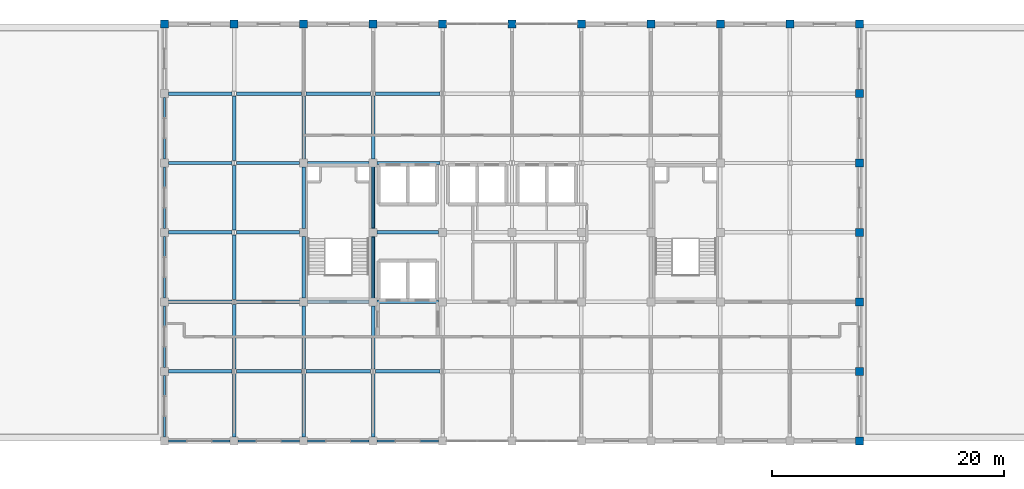
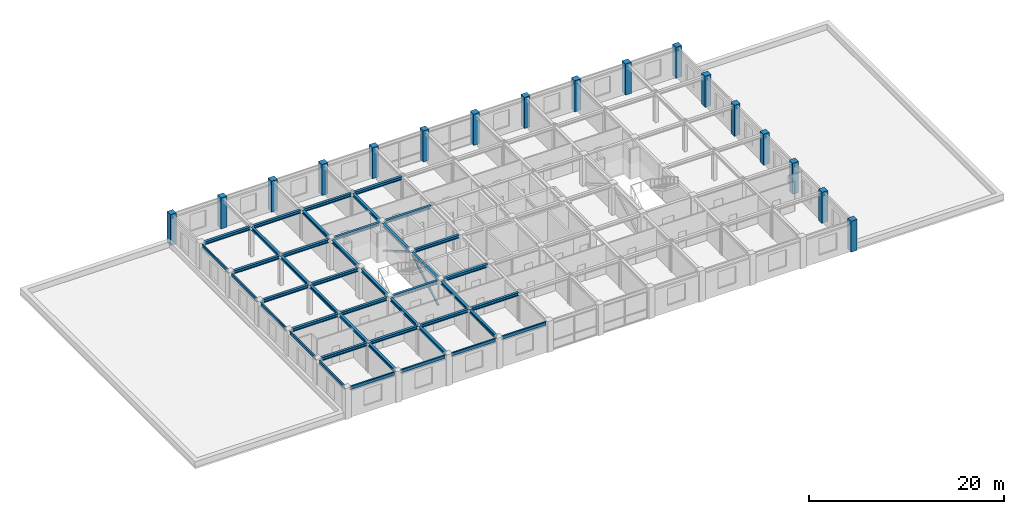
# One storey, part 3 of 13: 43 beams, 17 columns, 2 members.
"""IFC4 building model written with IfcOpenShell, lengths in metres."""

from ifc_helpers import new_model, si_unit, direction, frame, origin, origin_2d, place, context, subcontext, project, spatial, rectangle, hollow_rectangle, i_section, extrude, material, material_profile, profile_set, type_object, element, save


model = new_model("IFC4")

# Units and contexts
model_context = context("Model", 3, precision=1e-05, world=origin(), true_north=direction((0.0, 1.0)))
body_context = subcontext(model_context, "Body", "Model", "MODEL_VIEW")
ifc_project = project(units=[si_unit("LENGTHUNIT", "METRE"), si_unit("AREAUNIT", "SQUARE_METRE"), si_unit("VOLUMEUNIT", "CUBIC_METRE"), si_unit("PLANEANGLEUNIT", "RADIAN"), si_unit("MASSUNIT", "GRAM", prefix="KILO")], contexts=[model_context])

# Site, building, storey
site_placement = place(None, origin())
site = spatial("IfcSite", under=ifc_project, at=site_placement, CompositionType="ELEMENT")
building_placement = place(site_placement, origin())
building = spatial("IfcBuilding", under=site, at=building_placement, Name="Zlatovratsky Civic Hall", CompositionType="ELEMENT")
storey_placement = place(building_placement, frame((0.0, 0.0, 24.89990234375)))
storey = spatial("IfcBuildingStorey", under=building, at=storey_placement, Name="L06", CompositionType="ELEMENT", Elevation=24.89990234375)

# Columns
ifc_material_1 = material(Name="Concrete C35/45 (B40)", Category="concrete")
ifc_material_profile_1 = material_profile(ifc_material_1, rectangle(XDim=0.699951171875, YDim=0.699951171875, at=origin_2d()), Name="RC 700x700")
ifc_profile_set_1 = profile_set([ifc_material_profile_1], Name="Concrete C35/45 (B40)")
column_type = type_object("IfcColumnType", Name="Col_CorePier_RC700", PredefinedType="COLUMN", material=ifc_profile_set_1)
for number, where, z_axis, x_axis, name in (
    (1, (114.0, 72.0, 0.0), (0.0, 0.0, 1.0), (1.0, 0.0, 0.0), "CL-2028"),
    (2, (114.0, 78.0, 0.0), (0.0, 0.0, 1.0), (1.0, 0.0, 0.0), "CL-2039"),
    (3, (114.0, 84.0, 0.0), (0.0, 0.0, 1.0), (1.0, 0.0, 0.0), "CL-2050"),
    (4, (114.0, 90.0, 0.0), (0.0, 0.0, 1.0), (1.0, 0.0, 0.0), "CL-2061"),
    (5, (114.0, 96.0, 0.0), (0.0, 0.0, 1.0), (1.0, 0.0, 0.0), "CL-2072"),
    (6, (114.0, 102.0, 0.0), (0.0, 0.0, 1.0), (1.0, 0.0, 0.0), "CL-2083"),
    (7, (54.0, 108.0, 0.0), (0.0, 0.0, 1.0), (1.0, 0.0, 0.0), "CL-2084"),
    (8, (60.0, 108.0, 0.0), (0.0, 0.0, 1.0), (1.0, 0.0, 0.0), "CL-2085"),
    (9, (66.0, 108.0, 0.0), (0.0, 0.0, 1.0), (1.0, 0.0, 0.0), "CL-2086"),
    (10, (72.0, 108.0, 0.0), (0.0, 0.0, 1.0), (1.0, 0.0, 0.0), "CL-2087"),
    (11, (78.0, 108.0, 0.0), (0.0, 0.0, 1.0), (1.0, 0.0, 0.0), "CL-2088"),
    (12, (84.0, 108.0, 0.0), (0.0, 0.0, 1.0), (1.0, 0.0, 0.0), "CL-2089"),
    (13, (90.0, 108.0, 0.0), (0.0, 0.0, 1.0), (1.0, 0.0, 0.0), "CL-2090"),
    (14, (96.0, 108.0, 0.0), (0.0, 0.0, 1.0), (1.0, 0.0, 0.0), "CL-2091"),
    (15, (102.0, 108.0, 0.0), (0.0, 0.0, 1.0), (1.0, 0.0, 0.0), "CL-2092"),
    (16, (108.0, 108.0, 0.0), (0.0, 0.0, 1.0), (1.0, 0.0, 0.0), "CL-2093"),
    (17, (114.0, 108.0, 0.0), (0.0, 0.0, 1.0), (1.0, 0.0, 0.0), "CL-2094"),
):
    element("IfcColumn", number, at=place(storey_placement, frame(where, z_axis=z_axis, x_axis=x_axis)), inside=storey, type_object=column_type, Name=name, PredefinedType="COLUMN", context=body_context, shape_type="SweptSolid", body=[
        extrude(rectangle(XDim=0.699951171875, YDim=0.699951171875, at=origin_2d()), origin(), (0.0, 0.0, 1.0), 3.900146484375),
    ])

# Beams
ifc_material_2 = material(Name="Steel S355", Category="steel")
ifc_material_profile_2 = material_profile(ifc_material_2, i_section(OverallWidth=0.169921875, OverallDepth=0.446044921875, WebThickness=0.007568359375, FlangeThickness=0.010986328125, FilletRadius=0.01611328125, at=origin_2d()), Name="45B1")
ifc_profile_set_2 = profile_set([ifc_material_profile_2], Name="Steel S355")
beam_type_1 = type_object("IfcBeamType", Name="Beam_Spandrel_45B1", PredefinedType="SPANDREL", material=ifc_profile_set_2)
for number, where, z_axis, x_axis, name in (
    (18, (54.35009765625, 72.0, 3.51708984375), (1.0, 0.0, 0.0), (0.0, 1.0, 0.0), "BM-4109"),
    (19, (60.35009765625, 72.0, 3.51708984375), (1.0, 0.0, 0.0), (0.0, 1.0, 0.0), "BM-4110"),
    (20, (66.35009765625, 72.0, 3.51708984375), (1.0, 0.0, 0.0), (0.0, 1.0, 0.0), "BM-4111"),
    (21, (72.35009765625, 72.0, 3.51708984375), (1.0, 0.0, 0.0), (0.0, 1.0, 0.0), "BM-4112"),
    (22, (54.0, 72.35009765625, 3.51708984375), (0.0, 1.0, 0.0), (-1.0, 0.0, 0.0), "BM-4177"),
    (23, (54.0, 78.35009765625, 3.51708984375), (0.0, 1.0, 0.0), (-1.0, 0.0, 0.0), "BM-4178"),
    (24, (54.0, 84.35009765625, 3.51708984375), (0.0, 1.0, 0.0), (-1.0, 0.0, 0.0), "BM-4179"),
    (25, (54.0, 90.35009765625, 3.51708984375), (0.0, 1.0, 0.0), (-1.0, 0.0, 0.0), "BM-4180"),
    (26, (54.0, 96.35009765625, 3.51708984375), (0.0, 1.0, 0.0), (-1.0, 0.0, 0.0), "BM-4181"),
):
    element("IfcBeam", number, at=place(storey_placement, frame(where, z_axis=z_axis, x_axis=x_axis)), inside=storey, type_object=beam_type_1, Name=name, PredefinedType="SPANDREL", context=body_context, shape_type="SweptSolid", body=[
        extrude(i_section(OverallWidth=0.169921875, OverallDepth=0.446044921875, WebThickness=0.007568359375, FlangeThickness=0.010986328125, FilletRadius=0.01611328125, at=origin_2d()), origin(), (0.0, 0.0, 1.0), 5.2998046875),
    ])
ifc_material_profile_3 = material_profile(ifc_material_2, i_section(OverallWidth=0.300048828125, OverallDepth=0.387939453125, WebThickness=0.009521484375, FlangeThickness=0.013916015625, FilletRadius=0.02197265625, at=origin_2d()), Name="40Sh1")
ifc_profile_set_3 = profile_set([ifc_material_profile_3], Name="Steel S355")
beam_type_2 = type_object("IfcBeamType", Name="Beam_TowerMid_40Sh1", PredefinedType="BEAM", material=ifc_profile_set_3)
beam_1_placement = place(storey_placement, frame((54.35009765625, 78.0, 3.546142578125), z_axis=(1.0, 0.0, 0.0), x_axis=(0.0, 1.0, 0.0)))
element("IfcBeam", 27, at=beam_1_placement, inside=storey, type_object=beam_type_2, Name="BM-4119", PredefinedType="BEAM", context=body_context, shape_type="SweptSolid", body=[
    extrude(i_section(OverallWidth=0.300048828125, OverallDepth=0.387939453125, WebThickness=0.009521484375, FlangeThickness=0.013916015625, FilletRadius=0.02197265625, at=origin_2d()), origin(), (0.0, 0.0, 1.0), 5.449951171875),
])
for number, where, z_axis, x_axis, name in (
    (28, (60.199951171875, 78.0, 3.546142578125), (1.0, 0.0, 0.0), (0.0, 1.0, 0.0), "BM-4120"),
    (29, (66.199951171875, 78.0, 3.546142578125), (1.0, 0.0, 0.0), (0.0, 1.0, 0.0), "BM-4121"),
    (30, (72.199951171875, 78.0, 3.546142578125), (1.0, 0.0, 0.0), (0.0, 1.0, 0.0), "BM-4122"),
):
    element("IfcBeam", number, at=place(storey_placement, frame(where, z_axis=z_axis, x_axis=x_axis)), inside=storey, type_object=beam_type_2, Name=name, PredefinedType="BEAM", context=body_context, shape_type="SweptSolid", body=[
        extrude(i_section(OverallWidth=0.300048828125, OverallDepth=0.387939453125, WebThickness=0.009521484375, FlangeThickness=0.013916015625, FilletRadius=0.02197265625, at=origin_2d()), origin(), (0.0, 0.0, 1.0), 5.60009765625),
    ])
for number, where, z_axis, x_axis, name in (
    (31, (54.35009765625, 84.0, 3.546142578125), (1.0, 0.0, 0.0), (0.0, 1.0, 0.0), "BM-4129"),
    (32, (60.199951171875, 84.0, 3.546142578125), (1.0, 0.0, 0.0), (0.0, 1.0, 0.0), "BM-4130"),
):
    element("IfcBeam", number, at=place(storey_placement, frame(where, z_axis=z_axis, x_axis=x_axis)), inside=storey, type_object=beam_type_2, Name=name, PredefinedType="BEAM", context=body_context, shape_type="SweptSolid", body=[
        extrude(i_section(OverallWidth=0.300048828125, OverallDepth=0.387939453125, WebThickness=0.009521484375, FlangeThickness=0.013916015625, FilletRadius=0.02197265625, at=origin_2d()), origin(), (0.0, 0.0, 1.0), 5.449951171875),
    ])
for number, where, z_axis, x_axis, name in (
    (33, (66.35009765625, 84.0, 3.546142578125), (1.0, 0.0, 0.0), (0.0, 1.0, 0.0), "BM-4131"),
    (34, (72.35009765625, 84.0, 3.546142578125), (1.0, 0.0, 0.0), (0.0, 1.0, 0.0), "BM-4132"),
):
    element("IfcBeam", number, at=place(storey_placement, frame(where, z_axis=z_axis, x_axis=x_axis)), inside=storey, type_object=beam_type_2, Name=name, PredefinedType="BEAM", context=body_context, shape_type="SweptSolid", body=[
        extrude(i_section(OverallWidth=0.300048828125, OverallDepth=0.387939453125, WebThickness=0.009521484375, FlangeThickness=0.013916015625, FilletRadius=0.02197265625, at=origin_2d()), origin(), (0.0, 0.0, 1.0), 5.2998046875),
    ])
for number, where, z_axis, x_axis, name in (
    (35, (54.35009765625, 90.0, 3.546142578125), (1.0, 0.0, 0.0), (0.0, 1.0, 0.0), "BM-4139"),
    (36, (60.199951171875, 90.0, 3.546142578125), (1.0, 0.0, 0.0), (0.0, 1.0, 0.0), "BM-4140"),
):
    element("IfcBeam", number, at=place(storey_placement, frame(where, z_axis=z_axis, x_axis=x_axis)), inside=storey, type_object=beam_type_2, Name=name, PredefinedType="BEAM", context=body_context, shape_type="SweptSolid", body=[
        extrude(i_section(OverallWidth=0.300048828125, OverallDepth=0.387939453125, WebThickness=0.009521484375, FlangeThickness=0.013916015625, FilletRadius=0.02197265625, at=origin_2d()), origin(), (0.0, 0.0, 1.0), 5.449951171875),
    ])
beam_2_placement = place(storey_placement, frame((72.35009765625, 90.0, 3.546142578125), z_axis=(1.0, 0.0, 0.0), x_axis=(0.0, 1.0, 0.0)))
element("IfcBeam", 37, at=beam_2_placement, inside=storey, type_object=beam_type_2, Name="BM-4141", PredefinedType="BEAM", context=body_context, shape_type="SweptSolid", body=[
    extrude(i_section(OverallWidth=0.300048828125, OverallDepth=0.387939453125, WebThickness=0.009521484375, FlangeThickness=0.013916015625, FilletRadius=0.02197265625, at=origin_2d()), origin(), (0.0, 0.0, 1.0), 5.2998046875),
])
for number, where, z_axis, x_axis, name in (
    (38, (54.35009765625, 96.0, 3.546142578125), (1.0, 0.0, 0.0), (0.0, 1.0, 0.0), "BM-4147"),
    (39, (60.199951171875, 96.0, 3.546142578125), (1.0, 0.0, 0.0), (0.0, 1.0, 0.0), "BM-4148"),
):
    element("IfcBeam", number, at=place(storey_placement, frame(where, z_axis=z_axis, x_axis=x_axis)), inside=storey, type_object=beam_type_2, Name=name, PredefinedType="BEAM", context=body_context, shape_type="SweptSolid", body=[
        extrude(i_section(OverallWidth=0.300048828125, OverallDepth=0.387939453125, WebThickness=0.009521484375, FlangeThickness=0.013916015625, FilletRadius=0.02197265625, at=origin_2d()), origin(), (0.0, 0.0, 1.0), 5.449951171875),
    ])
beam_3_placement = place(storey_placement, frame((66.35009765625, 96.0, 3.546142578125), z_axis=(1.0, 0.0, 0.0), x_axis=(0.0, 1.0, 0.0)))
element("IfcBeam", 40, at=beam_3_placement, inside=storey, type_object=beam_type_2, Name="BM-4149", PredefinedType="BEAM", context=body_context, shape_type="SweptSolid", body=[
    extrude(i_section(OverallWidth=0.300048828125, OverallDepth=0.387939453125, WebThickness=0.009521484375, FlangeThickness=0.013916015625, FilletRadius=0.02197265625, at=origin_2d()), origin(), (0.0, 0.0, 1.0), 5.2998046875),
])
for number, where, z_axis, x_axis, name in (
    (41, (72.35009765625, 96.0, 3.546142578125), (1.0, 0.0, 0.0), (0.0, 1.0, 0.0), "BM-4150"),
    (42, (54.35009765625, 102.0, 3.546142578125), (1.0, 0.0, 0.0), (0.0, 1.0, 0.0), "BM-4157"),
):
    element("IfcBeam", number, at=place(storey_placement, frame(where, z_axis=z_axis, x_axis=x_axis)), inside=storey, type_object=beam_type_2, Name=name, PredefinedType="BEAM", context=body_context, shape_type="SweptSolid", body=[
        extrude(i_section(OverallWidth=0.300048828125, OverallDepth=0.387939453125, WebThickness=0.009521484375, FlangeThickness=0.013916015625, FilletRadius=0.02197265625, at=origin_2d()), origin(), (0.0, 0.0, 1.0), 5.449951171875),
    ])
for number, where, z_axis, x_axis, name in (
    (43, (60.199951171875, 102.0, 3.546142578125), (1.0, 0.0, 0.0), (0.0, 1.0, 0.0), "BM-4158"),
    (44, (66.199951171875, 102.0, 3.546142578125), (1.0, 0.0, 0.0), (0.0, 1.0, 0.0), "BM-4159"),
    (45, (72.199951171875, 102.0, 3.546142578125), (1.0, 0.0, 0.0), (0.0, 1.0, 0.0), "BM-4160"),
):
    element("IfcBeam", number, at=place(storey_placement, frame(where, z_axis=z_axis, x_axis=x_axis)), inside=storey, type_object=beam_type_2, Name=name, PredefinedType="BEAM", context=body_context, shape_type="SweptSolid", body=[
        extrude(i_section(OverallWidth=0.300048828125, OverallDepth=0.387939453125, WebThickness=0.009521484375, FlangeThickness=0.013916015625, FilletRadius=0.02197265625, at=origin_2d()), origin(), (0.0, 0.0, 1.0), 5.60009765625),
    ])
beam_4_placement = place(storey_placement, frame((60.0, 72.35009765625, 3.546142578125), z_axis=(0.0, 1.0, 0.0), x_axis=(-1.0, 0.0, 0.0)))
element("IfcBeam", 46, at=beam_4_placement, inside=storey, type_object=beam_type_2, Name="BM-4183", PredefinedType="BEAM", context=body_context, shape_type="SweptSolid", body=[
    extrude(i_section(OverallWidth=0.300048828125, OverallDepth=0.387939453125, WebThickness=0.009521484375, FlangeThickness=0.013916015625, FilletRadius=0.02197265625, at=origin_2d()), origin(), (0.0, 0.0, 1.0), 5.449951171875),
])
for number, where, z_axis, x_axis, name in (
    (47, (60.0, 78.199951171875, 3.546142578125), (0.0, 1.0, 0.0), (-1.0, 0.0, 0.0), "BM-4184"),
    (48, (60.0, 84.199951171875, 3.546142578125), (0.0, 1.0, 0.0), (-1.0, 0.0, 0.0), "BM-4185"),
    (49, (60.0, 90.199951171875, 3.546142578125), (0.0, 1.0, 0.0), (-1.0, 0.0, 0.0), "BM-4186"),
    (50, (60.0, 96.199951171875, 3.546142578125), (0.0, 1.0, 0.0), (-1.0, 0.0, 0.0), "BM-4187"),
):
    element("IfcBeam", number, at=place(storey_placement, frame(where, z_axis=z_axis, x_axis=x_axis)), inside=storey, type_object=beam_type_2, Name=name, PredefinedType="BEAM", context=body_context, shape_type="SweptSolid", body=[
        extrude(i_section(OverallWidth=0.300048828125, OverallDepth=0.387939453125, WebThickness=0.009521484375, FlangeThickness=0.013916015625, FilletRadius=0.02197265625, at=origin_2d()), origin(), (0.0, 0.0, 1.0), 5.60009765625),
    ])
for number, where, z_axis, x_axis, name in (
    (51, (66.0, 72.35009765625, 3.546142578125), (0.0, 1.0, 0.0), (-1.0, 0.0, 0.0), "BM-4189"),
    (52, (66.0, 78.199951171875, 3.546142578125), (0.0, 1.0, 0.0), (-1.0, 0.0, 0.0), "BM-4190"),
):
    element("IfcBeam", number, at=place(storey_placement, frame(where, z_axis=z_axis, x_axis=x_axis)), inside=storey, type_object=beam_type_2, Name=name, PredefinedType="BEAM", context=body_context, shape_type="SweptSolid", body=[
        extrude(i_section(OverallWidth=0.300048828125, OverallDepth=0.387939453125, WebThickness=0.009521484375, FlangeThickness=0.013916015625, FilletRadius=0.02197265625, at=origin_2d()), origin(), (0.0, 0.0, 1.0), 5.449951171875),
    ])
for number, where, z_axis, x_axis, name in (
    (53, (66.0, 84.35009765625, 3.546142578125), (0.0, 1.0, 0.0), (-1.0, 0.0, 0.0), "BM-4191"),
    (54, (66.0, 90.35009765625, 3.546142578125), (0.0, 1.0, 0.0), (-1.0, 0.0, 0.0), "BM-4192"),
):
    element("IfcBeam", number, at=place(storey_placement, frame(where, z_axis=z_axis, x_axis=x_axis)), inside=storey, type_object=beam_type_2, Name=name, PredefinedType="BEAM", context=body_context, shape_type="SweptSolid", body=[
        extrude(i_section(OverallWidth=0.300048828125, OverallDepth=0.387939453125, WebThickness=0.009521484375, FlangeThickness=0.013916015625, FilletRadius=0.02197265625, at=origin_2d()), origin(), (0.0, 0.0, 1.0), 5.2998046875),
    ])
for number, where, z_axis, x_axis, name in (
    (55, (66.0, 96.35009765625, 3.546142578125), (0.0, 1.0, 0.0), (-1.0, 0.0, 0.0), "BM-4193"),
    (56, (72.0, 72.35009765625, 3.546142578125), (0.0, 1.0, 0.0), (-1.0, 0.0, 0.0), "BM-4195"),
    (57, (72.0, 78.199951171875, 3.546142578125), (0.0, 1.0, 0.0), (-1.0, 0.0, 0.0), "BM-4196"),
):
    element("IfcBeam", number, at=place(storey_placement, frame(where, z_axis=z_axis, x_axis=x_axis)), inside=storey, type_object=beam_type_2, Name=name, PredefinedType="BEAM", context=body_context, shape_type="SweptSolid", body=[
        extrude(i_section(OverallWidth=0.300048828125, OverallDepth=0.387939453125, WebThickness=0.009521484375, FlangeThickness=0.013916015625, FilletRadius=0.02197265625, at=origin_2d()), origin(), (0.0, 0.0, 1.0), 5.449951171875),
    ])
for number, where, z_axis, x_axis, name in (
    (58, (72.0, 84.35009765625, 3.546142578125), (0.0, 1.0, 0.0), (-1.0, 0.0, 0.0), "BM-4197"),
    (59, (72.0, 90.35009765625, 3.546142578125), (0.0, 1.0, 0.0), (-1.0, 0.0, 0.0), "BM-4198"),
):
    element("IfcBeam", number, at=place(storey_placement, frame(where, z_axis=z_axis, x_axis=x_axis)), inside=storey, type_object=beam_type_2, Name=name, PredefinedType="BEAM", context=body_context, shape_type="SweptSolid", body=[
        extrude(i_section(OverallWidth=0.300048828125, OverallDepth=0.387939453125, WebThickness=0.009521484375, FlangeThickness=0.013916015625, FilletRadius=0.02197265625, at=origin_2d()), origin(), (0.0, 0.0, 1.0), 5.2998046875),
    ])
beam_5_placement = place(storey_placement, frame((72.0, 96.35009765625, 3.546142578125), z_axis=(0.0, 1.0, 0.0), x_axis=(-1.0, 0.0, 0.0)))
element("IfcBeam", 60, at=beam_5_placement, inside=storey, type_object=beam_type_2, Name="BM-4199", PredefinedType="BEAM", context=body_context, shape_type="SweptSolid", body=[
    extrude(i_section(OverallWidth=0.300048828125, OverallDepth=0.387939453125, WebThickness=0.009521484375, FlangeThickness=0.013916015625, FilletRadius=0.02197265625, at=origin_2d()), origin(), (0.0, 0.0, 1.0), 5.449951171875),
])

# Members
ifc_material_profile_4 = material_profile(ifc_material_2, hollow_rectangle(XDim=0.199951171875, YDim=0.199951171875, WallThickness=0.010009765625, at=origin_2d()), Name="SHS 200x200x10")
ifc_profile_set_4 = profile_set([ifc_material_profile_4], Name="Steel S355")
member_type = type_object("IfcMemberType", Name="Brace_TowerLow_SHS200", PredefinedType="BRACE", material=ifc_profile_set_4)
for number, where, z_axis, x_axis, name in (
    (61, (72.0, 84.35009765625, 0.25), (0.0, 0.863172562464, 0.504909028845), (-1.0, 0.0, 0.0), "MB-0128"),
    (62, (72.0, 90.35009765625, 3.35009765625), (0.0, 0.863172562464, -0.504909028845), (-1.0, 0.0, 0.0), "MB-0129"),
):
    element("IfcMember", number, at=place(storey_placement, frame(where, z_axis=z_axis, x_axis=x_axis)), inside=storey, type_object=member_type, Name=name, PredefinedType="BRACE", context=body_context, shape_type="SweptSolid", body=[
        extrude(hollow_rectangle(XDim=0.199951171875, YDim=0.199951171875, WallThickness=0.010009765625, at=origin_2d()), origin(), (0.0, 0.0, 1.0), 6.139892578125),
    ])

save(model, "model.ifc")
